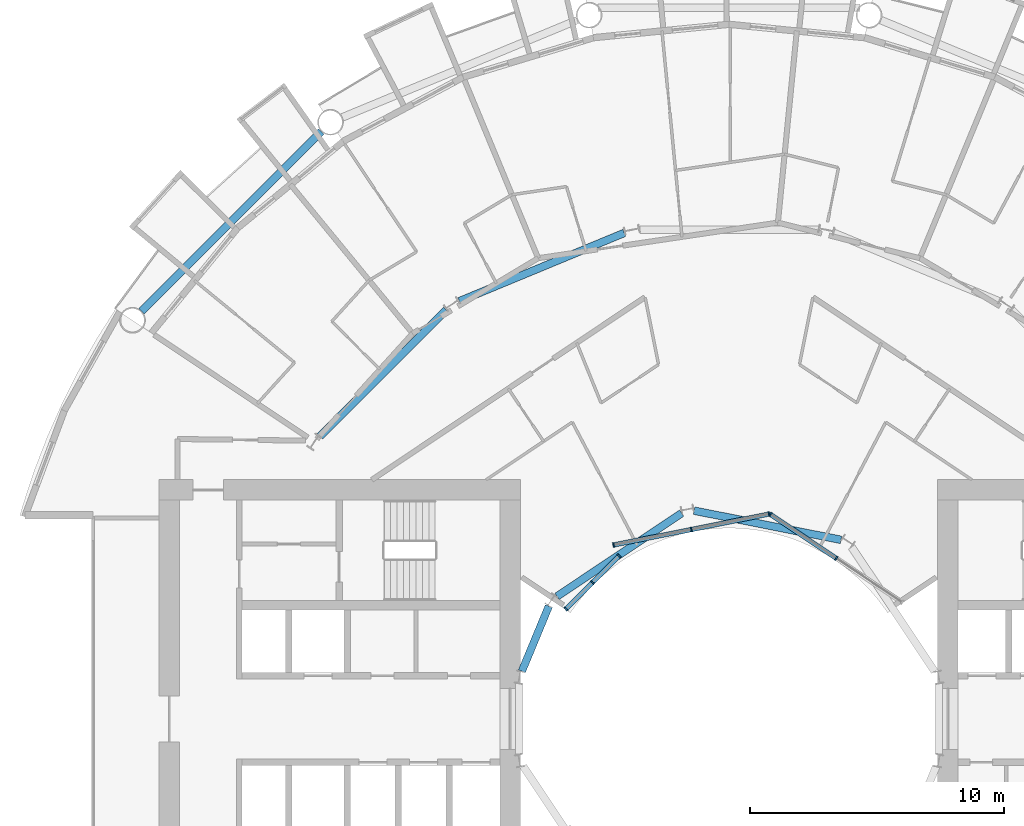
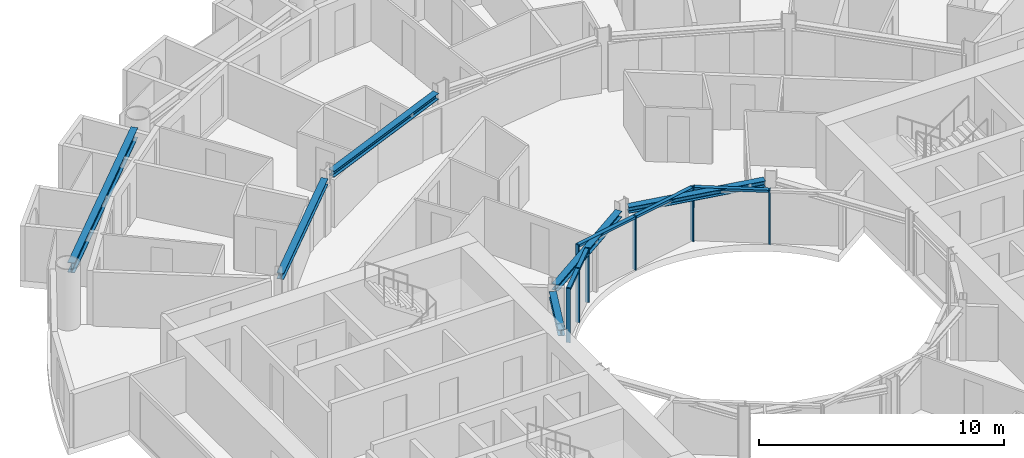
# One storey, part 7 of 26: 13 members, 6 beams, 3 elements without a shape of their own.
"""IFC4 building model written with IfcOpenShell, lengths in metres."""

import ifcopenshell
import ifcopenshell.guid

model = None  # the IFC model being written
_history = None  # IfcOwnerHistory: only IFC2X3 demands one
_inside = {}  # id of a spatial element -> (the spatial element, [elements in it])
_under = {}  # id of a project, library or spatial element -> (it, [spatial elements below it])
_declared = {}  # id of a project -> (the project, [libraries it declares])
_typed = {}  # id of a type object -> (the type object, [elements of that type])
_made_of = {}  # id of a material, layer set ... -> (it, [elements and type objects made of it])


def new_model(schema):
    """Start an empty IFC model of exactly this schema.

    Asked for "IFC4X3", IfcOpenShell would pick the latest addendum, in which some entities
    have other attributes; the version numbers below select the first issue.
    IFC2X3 requires an IfcOwnerHistory on every rooted entity: one is made here for all.
    """
    global model, _history
    if schema == "IFC4X3":
        model = ifcopenshell.file(schema_version=(4, 3, 0, 0))
    else:
        model = ifcopenshell.file(schema=schema)
    _inside.clear()
    _under.clear()
    _declared.clear()
    _typed.clear()
    _made_of.clear()
    _history = None
    if model.schema == "IFC2X3":
        org = make("IfcOrganization", Name="unknown")
        user = make(
            "IfcPersonAndOrganization",
            ThePerson=make("IfcPerson", FamilyName="unknown"),
            TheOrganization=org,
        )
        app = make(
            "IfcApplication",
            ApplicationDeveloper=org,
            Version="unknown",
            ApplicationFullName="unknown",
            ApplicationIdentifier="unknown",
        )
        _history = make(
            "IfcOwnerHistory",
            OwningUser=user,
            OwningApplication=app,
            ChangeAction="ADDED",
            CreationDate=0,
        )
    return model


def make(cls, **values):
    """One entity of the class cls with the attributes given. An attribute that is None is left unset."""
    return model.create_entity(
        cls, **{name: value for name, value in values.items() if value is not None}
    )


def rooted(cls, **values):
    """An entity with a GlobalId (a new one), such as an element, a storey or a relation."""
    return make(cls, GlobalId=ifcopenshell.guid.new(), OwnerHistory=_history, **values)


def si_unit(unit_type, name, prefix=None):
    """IfcSIUnit, for example si_unit("LENGTHUNIT", "METRE", prefix="MILLI")."""
    return make("IfcSIUnit", UnitType=unit_type, Prefix=prefix, Name=name)


def assignment(units):
    """IfcUnitAssignment: the units of a project."""
    return None if units is None else make("IfcUnitAssignment", Units=units)


def point(xyz):
    """IfcCartesianPoint."""
    return None if xyz is None else make("IfcCartesianPoint", Coordinates=xyz)


def direction(xyz):
    """IfcDirection."""
    return None if xyz is None else make("IfcDirection", DirectionRatios=xyz)


def frame(location, z_axis=None, x_axis=None):
    """IfcAxis2Placement3D, a coordinate frame: its origin and axes. An axis left out is left unset."""
    return make(
        "IfcAxis2Placement3D",
        Location=point(location),
        Axis=direction(z_axis),
        RefDirection=direction(x_axis),
    )


def frame_2d(location, x_axis=None):
    """IfcAxis2Placement2D, a coordinate frame in the plane: its origin and x axis."""
    return make(
        "IfcAxis2Placement2D", Location=point(location), RefDirection=direction(x_axis)
    )


def origin():
    """The frame at (0, 0, 0) with its axes left unset."""
    return frame((0.0, 0.0, 0.0))


def origin_2d():
    """The frame at (0, 0) in the plane with its x axis left unset."""
    return frame_2d((0.0, 0.0))


def place(relative_to, where):
    """IfcLocalPlacement: puts the frame where relative to a parent placement (None: the world)."""
    return make(
        "IfcLocalPlacement", PlacementRelTo=relative_to, RelativePlacement=where
    )


def context(
    kind, dimensions, precision=None, world=None, true_north=None, identifier=None
):
    """IfcGeometricRepresentationContext, for example the 3D "Model" context."""
    return make(
        "IfcGeometricRepresentationContext",
        ContextIdentifier=identifier,
        ContextType=kind,
        CoordinateSpaceDimension=dimensions,
        Precision=precision,
        WorldCoordinateSystem=world,
        TrueNorth=true_north,
    )


def subcontext(parent, identifier, kind, view, scale=None):
    """IfcGeometricRepresentationSubContext, for example "Body" below "Model"."""
    return make(
        "IfcGeometricRepresentationSubContext",
        ContextIdentifier=identifier,
        ContextType=kind,
        ParentContext=parent,
        TargetScale=scale,
        TargetView=view,
    )


def project(units=None, contexts=None):
    """IfcProject with its units and contexts."""
    return rooted(
        "IfcProject",
        Name="project",
        RepresentationContexts=contexts,
        UnitsInContext=assignment(units),
    )


def spatial(cls, under=None, at=None, **own):
    """A site, building, storey or space (cls), placed at a placement, below another one or the project."""
    s = rooted(cls, ObjectPlacement=at, **own)
    if under is not None:
        _under.setdefault(under.id(), (under, []))[1].append(s)
    return s


def profile(cls, at=None, kind="AREA", **sizes):
    """A parametric profile (cls). Its sizes go by their IFC names, for example OverallWidth=200.0."""
    return make(cls, ProfileType=kind, Position=at, **sizes)


def rectangle(**sizes):
    """IfcRectangleProfileDef."""
    return profile("IfcRectangleProfileDef", **sizes)


def i_section(**sizes):
    """IfcIShapeProfileDef."""
    return profile("IfcIShapeProfileDef", **sizes)


def extrude(swept, where, along, depth):
    """IfcExtrudedAreaSolid: the profile swept, set in the frame where, extruded along a direction by depth."""
    return make(
        "IfcExtrudedAreaSolid",
        SweptArea=swept,
        Position=where,
        ExtrudedDirection=direction(along),
        Depth=depth,
    )


def shape(context_of_items, identifier, shape_type, items):
    """IfcShapeRepresentation: the items that make up one representation, for example the "Body"."""
    return make(
        "IfcShapeRepresentation",
        ContextOfItems=context_of_items,
        RepresentationIdentifier=identifier,
        RepresentationType=shape_type,
        Items=items,
    )


def material(Name=None, Category=None):
    """IfcMaterial."""
    return make("IfcMaterial", Name=Name, Category=Category)


def layer(
    of_material, thickness, ventilated=None, Name=None, Category=None, Priority=None
):
    """IfcMaterialLayer: one layer of a wall or slab, of a material (None: an air gap)."""
    return make(
        "IfcMaterialLayer",
        Material=of_material,
        LayerThickness=thickness,
        IsVentilated=ventilated,
        Name=Name,
        Category=Category,
        Priority=Priority,
    )


def layer_set(layers, Name=None):
    """IfcMaterialLayerSet."""
    return make("IfcMaterialLayerSet", MaterialLayers=layers, LayerSetName=Name)


def material_profile(
    of_material, cross_section, Name=None, Category=None, Priority=None
):
    """IfcMaterialProfile: a cross section and its material."""
    return make(
        "IfcMaterialProfile",
        Name=Name,
        Material=of_material,
        Profile=cross_section,
        Priority=Priority,
        Category=Category,
    )


def profile_set(profiles, Name=None, composite=None):
    """IfcMaterialProfileSet."""
    return make(
        "IfcMaterialProfileSet",
        Name=Name,
        MaterialProfiles=profiles,
        CompositeProfile=composite,
    )


def made_of(thing, what):
    """Note that an element or type object is made of a material, layer set ...; save() writes the relation."""
    if what is not None:
        _made_of.setdefault(what.id(), (what, []))[1].append(thing)
    return thing


def type_object(cls, material=None, **own):
    """A type object (cls), such as IfcWallType, which elements share."""
    return made_of(rooted(cls, **own), material)


def element(
    cls,
    number,
    at=None,
    inside=None,
    cuts=None,
    type_object=None,
    material=None,
    context=None,
    identifier="Body",
    shape_type=None,
    held_by="IfcProductDefinitionShape",
    body=None,
    shapes=None,
    **own,
):
    """One element of the class cls, such as IfcWall. Its Tag is "e" and its number.

    at: its placement. inside: the storey or other place that contains it. cuts: it is an
    opening in that element (IfcRelVoidsElement). A single representation is given by context,
    identifier, shape_type and body (its items); several are given by shapes. held_by: the class
    of the entity that holds the representations. save() writes the other relations.
    """
    e = rooted(cls, Tag="e%d" % number, ObjectPlacement=at, **own)
    if body is not None:
        shapes = [shape(context, identifier, shape_type, body)]
    if shapes is not None:
        e.Representation = make(held_by, Representations=shapes)
    if inside is not None:
        _inside.setdefault(inside.id(), (inside, []))[1].append(e)
    if cuts is not None:
        rooted(
            "IfcRelVoidsElement", RelatingBuildingElement=cuts, RelatedOpeningElement=e
        )
    if type_object is not None:
        _typed.setdefault(type_object.id(), (type_object, []))[1].append(e)
    return made_of(e, material)


def aggregate(whole, parts):
    """IfcRelAggregates: a whole, such as a stair, and the parts it consists of."""
    return rooted("IfcRelAggregates", RelatingObject=whole, RelatedObjects=parts)


def save(model, path):
    """Write the relations noted so far, then the file.

    IfcRelAggregates (storeys below a building ...), IfcRelContainedInSpatialStructure (elements
    in a storey), IfcRelDefinesByType, IfcRelAssociatesMaterial and IfcRelDeclares: one each for
    every whole, place, type object, material and project.
    """
    for whole, parts in _under.values():
        aggregate(whole, parts)
    for where, things in _inside.values():
        rooted(
            "IfcRelContainedInSpatialStructure",
            RelatedElements=things,
            RelatingStructure=where,
        )
    for kind, things in _typed.values():
        rooted("IfcRelDefinesByType", RelatedObjects=things, RelatingType=kind)
    for what, things in _made_of.values():
        rooted("IfcRelAssociatesMaterial", RelatedObjects=things, RelatingMaterial=what)
    for by, libraries in _declared.values():
        rooted("IfcRelDeclares", RelatingContext=by, RelatedDefinitions=libraries)
    model.write(path)


model = new_model("IFC4")

# Units and contexts
model_context = context("Model", 3, precision=1e-05, world=origin(), true_north=direction((0.0, 1.0)))
body_context = subcontext(model_context, "Body", "Model", "MODEL_VIEW")
ifc_project = project(units=[si_unit("LENGTHUNIT", "METRE"), si_unit("AREAUNIT", "SQUARE_METRE"), si_unit("VOLUMEUNIT", "CUBIC_METRE"), si_unit("PLANEANGLEUNIT", "RADIAN"), si_unit("MASSUNIT", "GRAM", prefix="KILO")], contexts=[model_context])

# Site, building, storey
site_placement = place(None, origin())
site = spatial("IfcSite", under=ifc_project, at=site_placement, CompositionType="ELEMENT")
building_placement = place(site_placement, origin())
building = spatial("IfcBuilding", under=site, at=building_placement, Name="Maasbend Ring Residences", CompositionType="ELEMENT")
storey_placement = place(building_placement, frame((0.0, 0.0, 28.89990234375)))
storey = spatial("IfcBuildingStorey", under=building, at=storey_placement, Name="L07", CompositionType="ELEMENT", Elevation=28.89990234375)

# Curtain wall, members
ifc_material_1 = material(Name="Aluminium and clear glass", Category="aluminium")
ifc_layer = layer(ifc_material_1, 0.179931640625)
ifc_layer_set = layer_set([ifc_layer], Name="CW-W")
curtain_wall_type = type_object("IfcCurtainWallType", Name="CW-W", PredefinedType="NOTDEFINED", material=ifc_layer_set)
curtain_wall_1_placement = place(storey_placement, origin())
curtain_wall_1 = element("IfcCurtainWall", 1, at=curtain_wall_1_placement, inside=storey, type_object=curtain_wall_type, Name="Well curtain wall N1", PredefinedType="NOTDEFINED")
ifc_material_2 = material(Name="Aluminium 6063-T6", Category="aluminium")
ifc_material_profile_1 = material_profile(ifc_material_2, rectangle(XDim=0.179931640625, YDim=0.06005859375, at=origin_2d()), Name="AL 180x60")
ifc_profile_set_1 = profile_set([ifc_material_profile_1], Name="Aluminium 6063-T6")
member_type_1 = type_object("IfcMemberType", Name="CWM-W", PredefinedType="MULLION", material=ifc_profile_set_1)
member_1_placement = place(storey_placement, frame((4.216796875, 6.310791015625, 0.0), z_axis=(0.0, 0.0, 1.0), x_axis=(-0.55557023302, -0.831469612303, 0.0)))
member_1 = element("IfcMember", 2, at=member_1_placement, type_object=member_type_1, Name="Mullion well face", PredefinedType="MULLION", context=body_context, shape_type="SweptSolid", body=[
    extrude(rectangle(XDim=0.179931640625, YDim=0.06005859375, at=origin_2d()), origin(), (0.0, 0.0, 1.0), 2.7001953125),
])
member_2_placement = place(storey_placement, frame((1.627685546875, 8.040771484375, 0.0), z_axis=(0.0, 0.0, 1.0), x_axis=(-0.55557023302, -0.831469612303, 0.0)))
member_2 = element("IfcMember", 3, at=member_2_placement, type_object=member_type_1, Name="Mullion well face", PredefinedType="MULLION", context=body_context, shape_type="SweptSolid", body=[
    extrude(rectangle(XDim=0.179931640625, YDim=0.06005859375, at=origin_2d()), origin(), (0.0, 0.0, 1.0), 2.7001953125),
])

curtain_wall_2_placement = place(storey_placement, origin())
curtain_wall_2 = element("IfcCurtainWall", 4, at=curtain_wall_2_placement, inside=storey, type_object=curtain_wall_type, Name="Well curtain wall N2", PredefinedType="NOTDEFINED")
member_3_placement = place(storey_placement, frame((1.5732421875, 8.0517578125, 0.0), z_axis=(0.0, 0.0, 1.0), x_axis=(0.195090322016, -0.980785280403, 0.0)))
member_3 = element("IfcMember", 5, at=member_3_placement, type_object=member_type_1, Name="Mullion well face", PredefinedType="MULLION", context=body_context, shape_type="SweptSolid", body=[
    extrude(rectangle(XDim=0.179931640625, YDim=0.06005859375, at=origin_2d()), origin(), (0.0, 0.0, 1.0), 2.7001953125),
])
member_4_placement = place(storey_placement, frame((-1.480712890625, 7.444091796875, 0.0), z_axis=(0.0, 0.0, 1.0), x_axis=(0.195090322016, -0.980785280403, 0.0)))
member_4 = element("IfcMember", 6, at=member_4_placement, type_object=member_type_1, Name="Mullion well face", PredefinedType="MULLION", context=body_context, shape_type="SweptSolid", body=[
    extrude(rectangle(XDim=0.179931640625, YDim=0.06005859375, at=origin_2d()), origin(), (0.0, 0.0, 1.0), 2.7001953125),
])
member_5_placement = place(storey_placement, frame((-4.53466796875, 6.836669921875, 0.0), z_axis=(0.0, 0.0, 1.0), x_axis=(0.195090322016, -0.980785280403, 0.0)))
member_5 = element("IfcMember", 7, at=member_5_placement, type_object=member_type_1, Name="Mullion well face", PredefinedType="MULLION", context=body_context, shape_type="SweptSolid", body=[
    extrude(rectangle(XDim=0.179931640625, YDim=0.06005859375, at=origin_2d()), origin(), (0.0, 0.0, 1.0), 2.7001953125),
])

curtain_wall_3_placement = place(storey_placement, origin())
curtain_wall_3 = element("IfcCurtainWall", 8, at=curtain_wall_3_placement, inside=storey, type_object=curtain_wall_type, Name="Well curtain wall N3", PredefinedType="NOTDEFINED")
member_6_placement = place(storey_placement, frame((-4.320556640625, 6.413330078125, 0.0), z_axis=(0.0, 0.0, 1.0), x_axis=(0.707106781187, -0.707106781187, 0.0)))
member_6 = element("IfcMember", 9, at=member_6_placement, type_object=member_type_1, Name="Mullion well face", PredefinedType="MULLION", context=body_context, shape_type="SweptSolid", body=[
    extrude(rectangle(XDim=0.179931640625, YDim=0.06005859375, at=origin_2d()), origin(), (0.0, 0.0, 1.0), 2.7001953125),
])
member_7_placement = place(storey_placement, frame((-5.366943359375, 5.366943359375, 0.0), z_axis=(0.0, 0.0, 1.0), x_axis=(0.707106781187, -0.707106781187, 0.0)))
member_7 = element("IfcMember", 10, at=member_7_placement, type_object=member_type_1, Name="Mullion well face", PredefinedType="MULLION", context=body_context, shape_type="SweptSolid", body=[
    extrude(rectangle(XDim=0.179931640625, YDim=0.06005859375, at=origin_2d()), origin(), (0.0, 0.0, 1.0), 2.7001953125),
])
member_8_placement = place(storey_placement, frame((-6.413330078125, 4.320556640625, 0.0), z_axis=(0.0, 0.0, 1.0), x_axis=(0.707106781187, -0.707106781187, 0.0)))
member_8 = element("IfcMember", 11, at=member_8_placement, type_object=member_type_1, Name="Mullion well face", PredefinedType="MULLION", context=body_context, shape_type="SweptSolid", body=[
    extrude(rectangle(XDim=0.179931640625, YDim=0.06005859375, at=origin_2d()), origin(), (0.0, 0.0, 1.0), 2.7001953125),
])

# Member
ifc_material_3 = material(Name="Aluminium 6063-T6", Category="aluminium")
ifc_material_profile_2 = material_profile(ifc_material_3, rectangle(XDim=0.179931640625, YDim=0.1201171875, at=origin_2d()), Name="AL 180x120")
ifc_profile_set_2 = profile_set([ifc_material_profile_2], Name="Aluminium 6063-T6")
member_type_2 = type_object("IfcMemberType", Name="CWT-W", PredefinedType="USERDEFINED", material=ifc_profile_set_2)
member_9_placement = place(storey_placement, frame((4.19189453125, 6.32763671875, 2.64013671875), z_axis=(-0.831496422459, 0.555530106689, 0.0), x_axis=(-0.555530106689, -0.831496422459, 0.0)))
member_9 = element("IfcMember", 12, at=member_9_placement, type_object=member_type_2, Name="Transom well face", ObjectType="TRANSOM", PredefinedType="USERDEFINED", context=body_context, shape_type="SweptSolid", body=[
    extrude(rectangle(XDim=0.179931640625, YDim=0.1201171875, at=origin_2d()), origin(), (0.0, 0.0, 1.0), 3.053955078125),
])

aggregate(curtain_wall_1, [member_1, member_2, member_9])

member_10_placement = place(storey_placement, frame((1.5439453125, 8.0458984375, 2.64013671875), z_axis=(-0.980776956105, -0.195132166424, 0.0), x_axis=(0.195132166424, -0.980776956105, 0.0)))
member_10 = element("IfcMember", 13, at=member_10_placement, type_object=member_type_2, Name="Transom well face", ObjectType="TRANSOM", PredefinedType="USERDEFINED", context=body_context, shape_type="SweptSolid", body=[
    extrude(rectangle(XDim=0.179931640625, YDim=0.1201171875, at=origin_2d()), origin(), (0.0, 0.0, 1.0), 3.053955078125),
])

member_11_placement = place(storey_placement, frame((-1.51025390625, 7.438232421875, 2.64013671875), z_axis=(-0.980789210404, -0.19507056353, 0.0), x_axis=(0.19507056353, -0.980789210404, 0.0)))
member_11 = element("IfcMember", 14, at=member_11_placement, type_object=member_type_2, Name="Transom well face", ObjectType="TRANSOM", PredefinedType="USERDEFINED", context=body_context, shape_type="SweptSolid", body=[
    extrude(rectangle(XDim=0.179931640625, YDim=0.1201171875, at=origin_2d()), origin(), (0.0, 0.0, 1.0), 3.0537109375),
])

aggregate(curtain_wall_2, [member_3, member_4, member_5, member_10, member_11])

member_12_placement = place(storey_placement, frame((-4.341796875, 6.39208984375, 2.64013671875), z_axis=(-0.707106781187, -0.707106781187, 0.0), x_axis=(0.707106781187, -0.707106781187, 0.0)))
member_12 = element("IfcMember", 15, at=member_12_placement, type_object=member_type_2, Name="Transom well face", ObjectType="TRANSOM", PredefinedType="USERDEFINED", context=body_context, shape_type="SweptSolid", body=[
    extrude(rectangle(XDim=0.179931640625, YDim=0.1201171875, at=origin_2d()), origin(), (0.0, 0.0, 1.0), 1.419677734375),
])

member_13_placement = place(storey_placement, frame((-5.38818359375, 5.345703125, 2.64013671875), z_axis=(-0.707106781187, -0.707106781187, 0.0), x_axis=(0.707106781187, -0.707106781187, 0.0)))
member_13 = element("IfcMember", 16, at=member_13_placement, type_object=member_type_2, Name="Transom well face", ObjectType="TRANSOM", PredefinedType="USERDEFINED", context=body_context, shape_type="SweptSolid", body=[
    extrude(rectangle(XDim=0.179931640625, YDim=0.1201171875, at=origin_2d()), origin(), (0.0, 0.0, 1.0), 1.419677734375),
])

aggregate(curtain_wall_3, [member_6, member_7, member_8, member_12, member_13])

# Beams
ifc_material_4 = material(Name="Steel S355J2", Category="steel")
ifc_material_profile_3 = material_profile(ifc_material_4, i_section(OverallWidth=0.300048828125, OverallDepth=0.300048828125, WebThickness=0.010986328125, FlangeThickness=0.01904296875, FilletRadius=0.027099609375, at=origin_2d()), Name="HEB 300")
ifc_profile_set_3 = profile_set([ifc_material_profile_3], Name="Steel S355J2")
beam_type_1 = type_object("IfcBeamType", Name="Corridor ring beam HEB 300", PredefinedType="BEAM", material=ifc_profile_set_3)
beam_1_placement = place(storey_placement, frame((-4.11572265625, 19.102294921875, 2.550048828125), z_axis=(-0.923886196809, -0.38266734293, 0.0), x_axis=(0.38266734293, -0.923886196809, 0.0)))
element("IfcBeam", 17, at=beam_1_placement, inside=storey, type_object=beam_type_1, Name="Corridor ring beam", PredefinedType="BEAM", context=body_context, shape_type="SweptSolid", body=[
    extrude(i_section(OverallWidth=0.300048828125, OverallDepth=0.300048828125, WebThickness=0.010986328125, FlangeThickness=0.01904296875, FilletRadius=0.027099609375, at=origin_2d()), origin(), (0.0, 0.0, 1.0), 7.015380859375),
])
beam_2_placement = place(storey_placement, frame((-11.11279296875, 16.0732421875, 2.550048828125), z_axis=(-0.707106781187, -0.707106781187, 0.0), x_axis=(0.707106781187, -0.707106781187, 0.0)))
element("IfcBeam", 18, at=beam_2_placement, inside=storey, type_object=beam_type_1, Name="Corridor ring beam", PredefinedType="BEAM", context=body_context, shape_type="SweptSolid", body=[
    extrude(i_section(OverallWidth=0.300048828125, OverallDepth=0.300048828125, WebThickness=0.010986328125, FlangeThickness=0.01904296875, FilletRadius=0.027099609375, at=origin_2d()), origin(), (0.0, 0.0, 1.0), 7.01513671875),
])
ifc_material_5 = material(Name="Steel S355J2", Category="steel")
ifc_material_profile_4 = material_profile(ifc_material_5, i_section(OverallWidth=0.300048828125, OverallDepth=0.5, WebThickness=0.014404296875, FlangeThickness=0.028076171875, FilletRadius=0.027099609375, at=origin_2d()), Name="HEB 500")
ifc_profile_set_4 = profile_set([ifc_material_profile_4], Name="Steel S355J2")
beam_type_2 = type_object("IfcBeamType", Name="Spandrel ring beam HEB 500", PredefinedType="SPANDREL", material=ifc_profile_set_4)
beam_3_placement = place(storey_placement, frame((-16.0263671875, 23.088134765625, 2.4501953125), z_axis=(-0.707106781187, -0.707106781187, 0.0), x_axis=(0.707106781187, -0.707106781187, 0.0)))
element("IfcBeam", 19, at=beam_3_placement, inside=storey, type_object=beam_type_2, Name="Spandrel ring beam", PredefinedType="SPANDREL", context=body_context, shape_type="SweptSolid", body=[
    extrude(i_section(OverallWidth=0.300048828125, OverallDepth=0.5, WebThickness=0.014404296875, FlangeThickness=0.028076171875, FilletRadius=0.027099609375, at=origin_2d()), origin(), (0.0, 0.0, 1.0), 9.98681640625),
])
ifc_material_6 = material(Name="Steel S355J2", Category="steel")
ifc_material_profile_5 = material_profile(ifc_material_6, i_section(OverallWidth=0.300048828125, OverallDepth=0.300048828125, WebThickness=0.010986328125, FlangeThickness=0.01904296875, FilletRadius=0.027099609375, at=origin_2d()), Name="HEB 300")
ifc_profile_set_5 = profile_set([ifc_material_profile_5], Name="Steel S355J2")
beam_type_3 = type_object("IfcBeamType", Name="Well edge beam HEB 300", PredefinedType="BEAM", material=ifc_profile_set_5)
beam_4_placement = place(storey_placement, frame((4.4013671875, 7.037109375, 2.550048828125), z_axis=(-0.980784282486, 0.195095338819, 0.0), x_axis=(-0.195095338819, -0.980784282486, 0.0)))
element("IfcBeam", 20, at=beam_4_placement, inside=storey, type_object=beam_type_3, Name="Well edge beam", PredefinedType="BEAM", context=body_context, shape_type="SweptSolid", body=[
    extrude(i_section(OverallWidth=0.300048828125, OverallDepth=0.300048828125, WebThickness=0.010986328125, FlangeThickness=0.01904296875, FilletRadius=0.027099609375, at=origin_2d()), origin(), (0.0, 0.0, 1.0), 5.8876953125),
])
beam_5_placement = place(storey_placement, frame((-1.86376953125, 8.08837890625, 2.550048828125), z_axis=(-0.831456549723, -0.555589782054, 0.0), x_axis=(0.555589782054, -0.831456549723, 0.0)))
element("IfcBeam", 21, at=beam_5_placement, inside=storey, type_object=beam_type_3, Name="Well edge beam", PredefinedType="BEAM", context=body_context, shape_type="SweptSolid", body=[
    extrude(i_section(OverallWidth=0.300048828125, OverallDepth=0.300048828125, WebThickness=0.010986328125, FlangeThickness=0.01904296875, FilletRadius=0.027099609375, at=origin_2d()), origin(), (0.0, 0.0, 1.0), 5.887939453125),
])
beam_6_placement = place(storey_placement, frame((-7.081787109375, 4.431396484375, 2.550048828125), z_axis=(-0.382723119906, -0.923863092395, 0.0), x_axis=(0.923863092395, -0.382723119906, 0.0)))
element("IfcBeam", 22, at=beam_6_placement, inside=storey, type_object=beam_type_3, Name="Well edge beam", PredefinedType="BEAM", context=body_context, shape_type="SweptSolid", body=[
    extrude(i_section(OverallWidth=0.300048828125, OverallDepth=0.300048828125, WebThickness=0.010986328125, FlangeThickness=0.01904296875, FilletRadius=0.027099609375, at=origin_2d()), origin(), (0.0, 0.0, 1.0), 2.767822265625),
])

save(model, "model.ifc")
